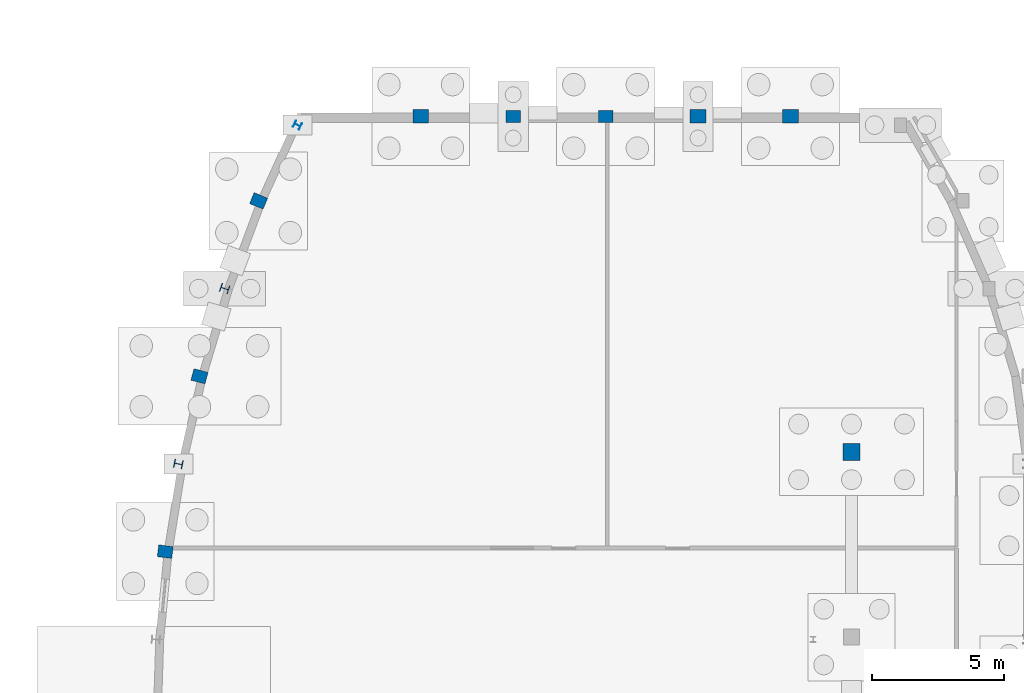
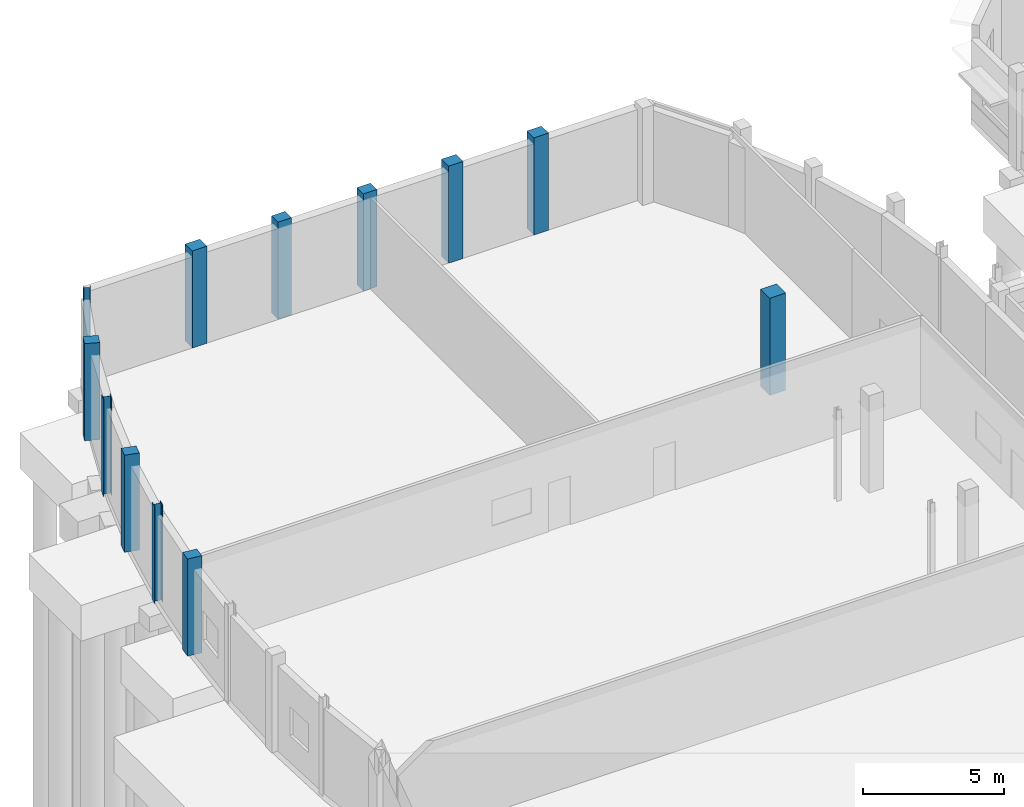
# One storey, part 18 of 93: 12 columns.
"""IFC4 building model written with IfcOpenShell, lengths in metres."""

from ifc_helpers import new_model, si_unit, direction, frame, origin, origin_2d, place, context, subcontext, project, spatial, rectangle, i_section, extrude, material, material_profile, profile_set, type_object, element, save


model = new_model("IFC4")

# Units and contexts
model_context = context("Model", 3, precision=1e-05, world=origin(), true_north=direction((0.0, 1.0)))
body_context = subcontext(model_context, "Body", "Model", "MODEL_VIEW")
ifc_project = project(units=[si_unit("LENGTHUNIT", "METRE"), si_unit("AREAUNIT", "SQUARE_METRE"), si_unit("VOLUMEUNIT", "CUBIC_METRE"), si_unit("PLANEANGLEUNIT", "RADIAN"), si_unit("MASSUNIT", "GRAM", prefix="KILO")], contexts=[model_context])

# Site, building, storey
site_placement = place(None, origin())
site = spatial("IfcSite", under=ifc_project, at=site_placement, CompositionType="ELEMENT")
building_placement = place(site_placement, origin())
building = spatial("IfcBuilding", under=site, at=building_placement, Name="Kelanivale Promenade Academy", CompositionType="ELEMENT")
storey_placement = place(building_placement, origin())
storey = spatial("IfcBuildingStorey", under=building, at=storey_placement, Name="L00", CompositionType="ELEMENT", Elevation=0.0)

# Columns
ifc_material_1 = material(Name="Concrete C40/50", Category="concrete")
ifc_material_profile_1 = material_profile(ifc_material_1, rectangle(XDim=0.64990234375, YDim=0.64990234375, at=origin_2d()), Name="RC-COL 650x650")
ifc_profile_set_1 = profile_set([ifc_material_profile_1], Name="Concrete C40/50")
column_type_1 = type_object("IfcColumnType", Name="C-06 RC-COL 650x650", PredefinedType="COLUMN", material=ifc_profile_set_1)
column_1_placement = place(storey_placement, frame((28.800048828125, 66.60009765625, 0.0), z_axis=(0.0, 0.0, 1.0), x_axis=(1.0, 0.0, 0.0)))
element("IfcColumn", 1, at=column_1_placement, inside=storey, type_object=column_type_1, Name="Column C-06 at (28.8, 66.6) L00", PredefinedType="COLUMN", context=body_context, shape_type="SweptSolid", body=[
    extrude(rectangle(XDim=0.64990234375, YDim=0.64990234375, at=origin_2d()), origin(), (0.0, 0.0, 1.0), 4.199951171875),
])
ifc_material_profile_2 = material_profile(ifc_material_1, rectangle(XDim=0.449951171875, YDim=0.550048828125, at=origin_2d()), Name="RC-PIL 450x550")
ifc_profile_set_2 = profile_set([ifc_material_profile_2], Name="Concrete C40/50")
column_type_2 = type_object("IfcColumnType", Name="PL-17 RC-PIL 450x550", PredefinedType="PILASTER", material=ifc_profile_set_2)
for number, where, z_axis, x_axis, name in (
    (2, (2.864013671875, 62.8291015625, 0.0), (0.0, 0.0, 1.0), (0.12741083733, 0.991850028246, 0.0), "Column PL-17 at (2.9, 62.8) L00"),
    (3, (4.157958984375, 69.45703125, 0.0), (0.0, 0.0, 1.0), (0.2549394954, 0.966957007154, 0.0), "Column PL-17 at (4.2, 69.5) L00"),
    (4, (6.39306640625, 76.0859375, 0.0), (0.0, 0.0, 1.0), (0.382360914263, 0.92401305794, 0.0), "Column PL-17 at (6.4, 76.1) L00"),
    (5, (16.012939453125, 79.280029296875, 0.0), (0.0, 0.0, 1.0), (0.0, 1.0, 0.0), "Column PL-17 at (16.0, 79.3) L00"),
    (6, (19.506103515625, 79.280029296875, 0.0), (0.0, 0.0, 1.0), (0.0, 1.0, 0.0), "Column PL-17 at (19.5, 79.3) L00"),
):
    element("IfcColumn", number, at=place(storey_placement, frame(where, z_axis=z_axis, x_axis=x_axis)), inside=storey, type_object=column_type_2, Name=name, PredefinedType="PILASTER", context=body_context, shape_type="SweptSolid", body=[
        extrude(rectangle(XDim=0.449951171875, YDim=0.550048828125, at=origin_2d()), origin(), (0.0, 0.0, 1.0), 4.199951171875),
    ])
ifc_material_profile_3 = material_profile(ifc_material_1, rectangle(XDim=0.5, YDim=0.60009765625, at=origin_2d()), Name="RC-PIL 500x600")
ifc_profile_set_3 = profile_set([ifc_material_profile_3], Name="Concrete C40/50")
column_type_3 = type_object("IfcColumnType", Name="PL-18 RC-PIL 500x600", PredefinedType="PILASTER", material=ifc_profile_set_3)
for number, where, z_axis, x_axis, name in (
    (7, (12.52001953125, 79.280029296875, 0.0), (0.0, 0.0, 1.0), (0.0, 1.0, 0.0), "Column PL-18 at (12.5, 79.3) L00"),
    (8, (22.9990234375, 79.280029296875, 0.0), (0.0, 0.0, 1.0), (0.0, 1.0, 0.0), "Column PL-18 at (23.0, 79.3) L00"),
    (9, (26.491943359375, 79.280029296875, 0.0), (0.0, 0.0, 1.0), (0.0, 1.0, 0.0), "Column PL-18 at (26.5, 79.3) L00"),
):
    element("IfcColumn", number, at=place(storey_placement, frame(where, z_axis=z_axis, x_axis=x_axis)), inside=storey, type_object=column_type_3, Name=name, PredefinedType="PILASTER", context=body_context, shape_type="SweptSolid", body=[
        extrude(rectangle(XDim=0.5, YDim=0.60009765625, at=origin_2d()), origin(), (0.0, 0.0, 1.0), 4.199951171875),
    ])
ifc_material_2 = material(Name="Steel S355", Category="steel")
ifc_material_profile_4 = material_profile(ifc_material_2, i_section(OverallWidth=0.25634765625, OverallDepth=0.26025390625, WebThickness=0.01025390625, FlangeThickness=0.017333984375, FilletRadius=0.0126953125, at=origin_2d()), Name="UC 254x254x89")
ifc_profile_set_4 = profile_set([ifc_material_profile_4], Name="Steel S355")
column_type_4 = type_object("IfcColumnType", Name="SC-03 UC 254x254x89", PredefinedType="COLUMN", material=ifc_profile_set_4)
column_2_placement = place(storey_placement, frame((7.862060546875, 78.949951171875, 0.0), z_axis=(0.0, 0.0, 1.0), x_axis=(0.44619781311, 0.894934361602, 0.0)))
element("IfcColumn", 10, at=column_2_placement, inside=storey, type_object=column_type_4, Name="Column SC-03 at (7.9, 79.0) L00", PredefinedType="COLUMN", context=body_context, shape_type="SweptSolid", body=[
    extrude(i_section(OverallWidth=0.25634765625, OverallDepth=0.26025390625, WebThickness=0.01025390625, FlangeThickness=0.017333984375, FilletRadius=0.0126953125, at=origin_2d()), origin(), (0.0, 0.0, 1.0), 4.199951171875),
])
ifc_material_profile_5 = material_profile(ifc_material_2, i_section(OverallWidth=0.307373046875, OverallDepth=0.314453125, WebThickness=0.011962890625, FlangeThickness=0.018798828125, FilletRadius=0.01513671875, at=origin_2d()), Name="UC 305x305x118")
ifc_profile_set_5 = profile_set([ifc_material_profile_5], Name="Steel S355")
column_type_5 = type_object("IfcColumnType", Name="SC-04 UC 305x305x118", PredefinedType="COLUMN", material=ifc_profile_set_5)
for number, where, z_axis, x_axis, name in (
    (11, (3.35888671875, 66.14306640625, 0.0), (0.0, 0.0, 1.0), (0.191151636272, 0.981560518741, 0.0), "Column SC-04 at (3.4, 66.1) L00"),
    (12, (5.111083984375, 72.77099609375, 0.0), (0.0, 0.0, 1.0), (0.318628456287, 0.947879690069, 0.0), "Column SC-04 at (5.1, 72.8) L00"),
):
    element("IfcColumn", number, at=place(storey_placement, frame(where, z_axis=z_axis, x_axis=x_axis)), inside=storey, type_object=column_type_5, Name=name, PredefinedType="COLUMN", context=body_context, shape_type="SweptSolid", body=[
        extrude(i_section(OverallWidth=0.307373046875, OverallDepth=0.314453125, WebThickness=0.011962890625, FlangeThickness=0.018798828125, FilletRadius=0.01513671875, at=origin_2d()), origin(), (0.0, 0.0, 1.0), 4.199951171875),
    ])

save(model, "model.ifc")
